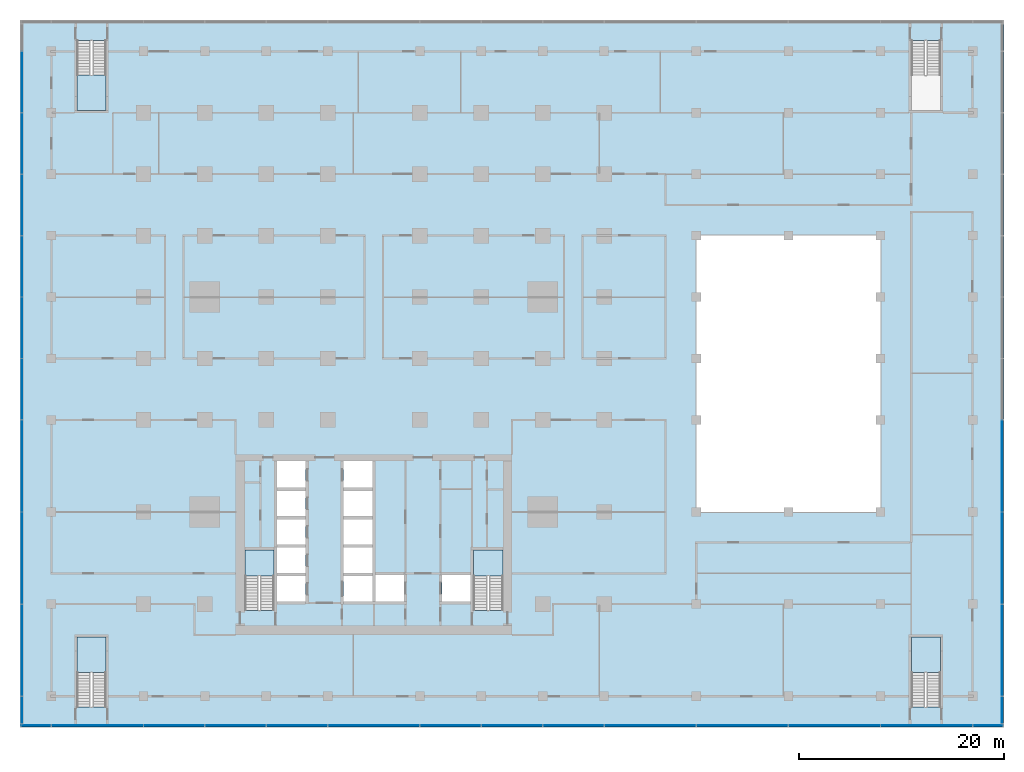
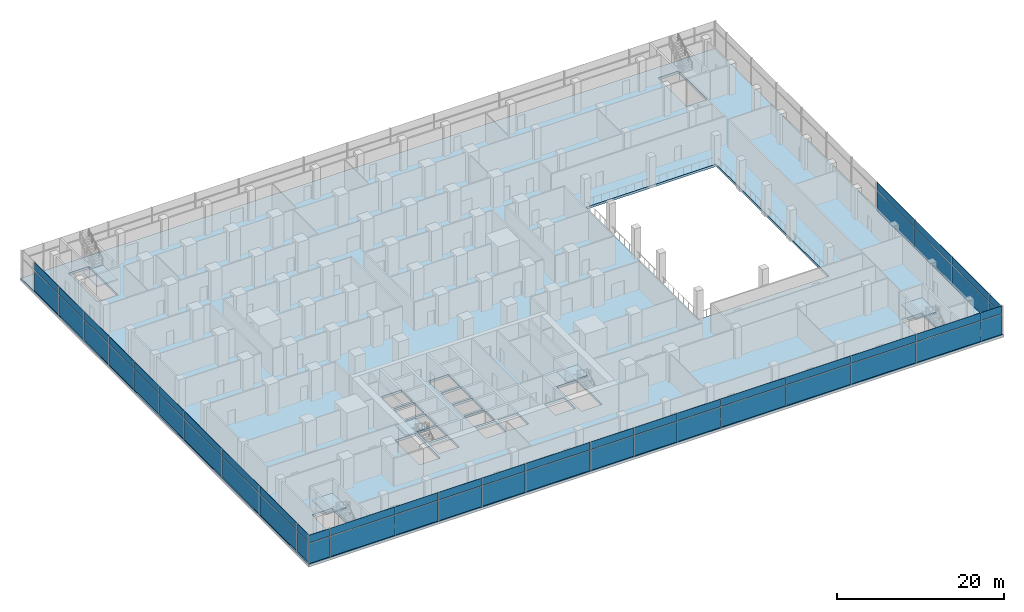
# One storey, part 10 of 22: 56 plates, 6 slabs, 8 elements without a shape of their own.
"""IFC4 building model written with IfcOpenShell, lengths in metres."""

import ifcopenshell
import ifcopenshell.guid

model = None  # the IFC model being written
_history = None  # IfcOwnerHistory: only IFC2X3 demands one
_inside = {}  # id of a spatial element -> (the spatial element, [elements in it])
_under = {}  # id of a project, library or spatial element -> (it, [spatial elements below it])
_declared = {}  # id of a project -> (the project, [libraries it declares])
_typed = {}  # id of a type object -> (the type object, [elements of that type])
_made_of = {}  # id of a material, layer set ... -> (it, [elements and type objects made of it])


def new_model(schema):
    """Start an empty IFC model of exactly this schema.

    Asked for "IFC4X3", IfcOpenShell would pick the latest addendum, in which some entities
    have other attributes; the version numbers below select the first issue.
    IFC2X3 requires an IfcOwnerHistory on every rooted entity: one is made here for all.
    """
    global model, _history
    if schema == "IFC4X3":
        model = ifcopenshell.file(schema_version=(4, 3, 0, 0))
    else:
        model = ifcopenshell.file(schema=schema)
    _inside.clear()
    _under.clear()
    _declared.clear()
    _typed.clear()
    _made_of.clear()
    _history = None
    if model.schema == "IFC2X3":
        org = make("IfcOrganization", Name="unknown")
        user = make(
            "IfcPersonAndOrganization",
            ThePerson=make("IfcPerson", FamilyName="unknown"),
            TheOrganization=org,
        )
        app = make(
            "IfcApplication",
            ApplicationDeveloper=org,
            Version="unknown",
            ApplicationFullName="unknown",
            ApplicationIdentifier="unknown",
        )
        _history = make(
            "IfcOwnerHistory",
            OwningUser=user,
            OwningApplication=app,
            ChangeAction="ADDED",
            CreationDate=0,
        )
    return model


def make(cls, **values):
    """One entity of the class cls with the attributes given. An attribute that is None is left unset."""
    return model.create_entity(
        cls, **{name: value for name, value in values.items() if value is not None}
    )


def rooted(cls, **values):
    """An entity with a GlobalId (a new one), such as an element, a storey or a relation."""
    return make(cls, GlobalId=ifcopenshell.guid.new(), OwnerHistory=_history, **values)


def si_unit(unit_type, name, prefix=None):
    """IfcSIUnit, for example si_unit("LENGTHUNIT", "METRE", prefix="MILLI")."""
    return make("IfcSIUnit", UnitType=unit_type, Prefix=prefix, Name=name)


def assignment(units):
    """IfcUnitAssignment: the units of a project."""
    return None if units is None else make("IfcUnitAssignment", Units=units)


def point(xyz):
    """IfcCartesianPoint."""
    return None if xyz is None else make("IfcCartesianPoint", Coordinates=xyz)


def direction(xyz):
    """IfcDirection."""
    return None if xyz is None else make("IfcDirection", DirectionRatios=xyz)


def frame(location, z_axis=None, x_axis=None):
    """IfcAxis2Placement3D, a coordinate frame: its origin and axes. An axis left out is left unset."""
    return make(
        "IfcAxis2Placement3D",
        Location=point(location),
        Axis=direction(z_axis),
        RefDirection=direction(x_axis),
    )


def frame_2d(location, x_axis=None):
    """IfcAxis2Placement2D, a coordinate frame in the plane: its origin and x axis."""
    return make(
        "IfcAxis2Placement2D", Location=point(location), RefDirection=direction(x_axis)
    )


def origin():
    """The frame at (0, 0, 0) with its axes left unset."""
    return frame((0.0, 0.0, 0.0))


def origin_2d():
    """The frame at (0, 0) in the plane with its x axis left unset."""
    return frame_2d((0.0, 0.0))


def place(relative_to, where):
    """IfcLocalPlacement: puts the frame where relative to a parent placement (None: the world)."""
    return make(
        "IfcLocalPlacement", PlacementRelTo=relative_to, RelativePlacement=where
    )


def context(
    kind, dimensions, precision=None, world=None, true_north=None, identifier=None
):
    """IfcGeometricRepresentationContext, for example the 3D "Model" context."""
    return make(
        "IfcGeometricRepresentationContext",
        ContextIdentifier=identifier,
        ContextType=kind,
        CoordinateSpaceDimension=dimensions,
        Precision=precision,
        WorldCoordinateSystem=world,
        TrueNorth=true_north,
    )


def subcontext(parent, identifier, kind, view, scale=None):
    """IfcGeometricRepresentationSubContext, for example "Body" below "Model"."""
    return make(
        "IfcGeometricRepresentationSubContext",
        ContextIdentifier=identifier,
        ContextType=kind,
        ParentContext=parent,
        TargetScale=scale,
        TargetView=view,
    )


def project(units=None, contexts=None):
    """IfcProject with its units and contexts."""
    return rooted(
        "IfcProject",
        Name="project",
        RepresentationContexts=contexts,
        UnitsInContext=assignment(units),
    )


def spatial(cls, under=None, at=None, **own):
    """A site, building, storey or space (cls), placed at a placement, below another one or the project."""
    s = rooted(cls, ObjectPlacement=at, **own)
    if under is not None:
        _under.setdefault(under.id(), (under, []))[1].append(s)
    return s


def polyline(points):
    """IfcPolyline through the points."""
    return make("IfcPolyline", Points=[point(p) for p in points])


def profile(cls, at=None, kind="AREA", **sizes):
    """A parametric profile (cls). Its sizes go by their IFC names, for example OverallWidth=200.0."""
    return make(cls, ProfileType=kind, Position=at, **sizes)


def rectangle(**sizes):
    """IfcRectangleProfileDef."""
    return profile("IfcRectangleProfileDef", **sizes)


def outline(outer, holes=None, kind="AREA"):
    """IfcArbitraryClosedProfileDef: a profile drawn as a closed curve; with holes, ...WithVoids."""
    if holes is None:
        return make("IfcArbitraryClosedProfileDef", ProfileType=kind, OuterCurve=outer)
    return make(
        "IfcArbitraryProfileDefWithVoids",
        ProfileType=kind,
        OuterCurve=outer,
        InnerCurves=holes,
    )


def extrude(swept, where, along, depth):
    """IfcExtrudedAreaSolid: the profile swept, set in the frame where, extruded along a direction by depth."""
    return make(
        "IfcExtrudedAreaSolid",
        SweptArea=swept,
        Position=where,
        ExtrudedDirection=direction(along),
        Depth=depth,
    )


def shape(context_of_items, identifier, shape_type, items):
    """IfcShapeRepresentation: the items that make up one representation, for example the "Body"."""
    return make(
        "IfcShapeRepresentation",
        ContextOfItems=context_of_items,
        RepresentationIdentifier=identifier,
        RepresentationType=shape_type,
        Items=items,
    )


def material(Name=None, Category=None):
    """IfcMaterial."""
    return make("IfcMaterial", Name=Name, Category=Category)


def layer(
    of_material, thickness, ventilated=None, Name=None, Category=None, Priority=None
):
    """IfcMaterialLayer: one layer of a wall or slab, of a material (None: an air gap)."""
    return make(
        "IfcMaterialLayer",
        Material=of_material,
        LayerThickness=thickness,
        IsVentilated=ventilated,
        Name=Name,
        Category=Category,
        Priority=Priority,
    )


def layer_set(layers, Name=None):
    """IfcMaterialLayerSet."""
    return make("IfcMaterialLayerSet", MaterialLayers=layers, LayerSetName=Name)


def made_of(thing, what):
    """Note that an element or type object is made of a material, layer set ...; save() writes the relation."""
    if what is not None:
        _made_of.setdefault(what.id(), (what, []))[1].append(thing)
    return thing


def type_object(cls, material=None, **own):
    """A type object (cls), such as IfcWallType, which elements share."""
    return made_of(rooted(cls, **own), material)


def element(
    cls,
    number,
    at=None,
    inside=None,
    cuts=None,
    type_object=None,
    material=None,
    context=None,
    identifier="Body",
    shape_type=None,
    held_by="IfcProductDefinitionShape",
    body=None,
    shapes=None,
    **own,
):
    """One element of the class cls, such as IfcWall. Its Tag is "e" and its number.

    at: its placement. inside: the storey or other place that contains it. cuts: it is an
    opening in that element (IfcRelVoidsElement). A single representation is given by context,
    identifier, shape_type and body (its items); several are given by shapes. held_by: the class
    of the entity that holds the representations. save() writes the other relations.
    """
    e = rooted(cls, Tag="e%d" % number, ObjectPlacement=at, **own)
    if body is not None:
        shapes = [shape(context, identifier, shape_type, body)]
    if shapes is not None:
        e.Representation = make(held_by, Representations=shapes)
    if inside is not None:
        _inside.setdefault(inside.id(), (inside, []))[1].append(e)
    if cuts is not None:
        rooted(
            "IfcRelVoidsElement", RelatingBuildingElement=cuts, RelatedOpeningElement=e
        )
    if type_object is not None:
        _typed.setdefault(type_object.id(), (type_object, []))[1].append(e)
    return made_of(e, material)


def aggregate(whole, parts):
    """IfcRelAggregates: a whole, such as a stair, and the parts it consists of."""
    return rooted("IfcRelAggregates", RelatingObject=whole, RelatedObjects=parts)


def save(model, path):
    """Write the relations noted so far, then the file.

    IfcRelAggregates (storeys below a building ...), IfcRelContainedInSpatialStructure (elements
    in a storey), IfcRelDefinesByType, IfcRelAssociatesMaterial and IfcRelDeclares: one each for
    every whole, place, type object, material and project.
    """
    for whole, parts in _under.values():
        aggregate(whole, parts)
    for where, things in _inside.values():
        rooted(
            "IfcRelContainedInSpatialStructure",
            RelatedElements=things,
            RelatingStructure=where,
        )
    for kind, things in _typed.values():
        rooted("IfcRelDefinesByType", RelatedObjects=things, RelatingType=kind)
    for what, things in _made_of.values():
        rooted("IfcRelAssociatesMaterial", RelatedObjects=things, RelatingMaterial=what)
    for by, libraries in _declared.values():
        rooted("IfcRelDeclares", RelatingContext=by, RelatedDefinitions=libraries)
    model.write(path)


model = new_model("IFC4")

# Units and contexts
model_context = context("Model", 3, precision=1e-05, world=origin(), true_north=direction((0.0, 1.0)))
body_context = subcontext(model_context, "Body", "Model", "MODEL_VIEW")
ifc_project = project(units=[si_unit("LENGTHUNIT", "METRE"), si_unit("AREAUNIT", "SQUARE_METRE"), si_unit("VOLUMEUNIT", "CUBIC_METRE"), si_unit("PLANEANGLEUNIT", "RADIAN"), si_unit("MASSUNIT", "GRAM", prefix="KILO")], contexts=[model_context])

# Site, building, storey
site_placement = place(None, origin())
site = spatial("IfcSite", under=ifc_project, at=site_placement, CompositionType="ELEMENT")
building_placement = place(site_placement, origin())
building = spatial("IfcBuilding", under=site, at=building_placement, Name="Finial Court Residences", CompositionType="ELEMENT")
storey_placement = place(building_placement, frame((0.0, 0.0, 23.5)))
storey = spatial("IfcBuildingStorey", under=building, at=storey_placement, Name="L04", CompositionType="ELEMENT", Elevation=23.5)

# Curtain wall, plates
ifc_material_1 = material(Name="Bronze anodised aluminium", Category="aluminium")
curtain_wall_type = type_object("IfcCurtainWallType", Name="Podium curtain wall", PredefinedType="NOTDEFINED", material=ifc_material_1)
curtain_wall_1_placement = place(storey_placement, origin())
curtain_wall_1 = element("IfcCurtainWall", 1, at=curtain_wall_1_placement, inside=storey, type_object=curtain_wall_type, Name="E-L04-CW-E2", PredefinedType="NOTDEFINED")
ifc_material_2 = material(Name="Clear low-e glass", Category="glass")
ifc_layer_1 = layer(ifc_material_2, 0.035888671875)
ifc_layer_set_1 = layer_set([ifc_layer_1], Name="CW5 vision glass 36")
plate_type = type_object("IfcPlateType", Name="CW5 vision glass 36", PredefinedType="CURTAIN_PANEL", material=ifc_layer_set_1)
plate_1_placement = place(storey_placement, frame((61.35009765625, -32.8486328125, 0.0), z_axis=(0.0, 0.0, 1.0), x_axis=(0.0, 1.0, 0.0)))
plate_1 = element("IfcPlate", 2, at=plate_1_placement, type_object=plate_type, Name="CW5 glass 1.1", PredefinedType="CURTAIN_PANEL", context=body_context, shape_type="SweptSolid", body=[
    extrude(rectangle(XDim=2.617431640625, YDim=0.035888671875, at=origin_2d()), origin(), (0.0, 0.0, 1.0), 2.9599609375),
])
plate_2_placement = place(storey_placement, frame((61.35009765625, -32.8486328125, 3.0400390625), z_axis=(0.0, 0.0, 1.0), x_axis=(0.0, 1.0, 0.0)))
plate_2 = element("IfcPlate", 3, at=plate_2_placement, type_object=plate_type, Name="CW5 glass 1.2", PredefinedType="CURTAIN_PANEL", context=body_context, shape_type="SweptSolid", body=[
    extrude(rectangle(XDim=2.617431640625, YDim=0.035888671875, at=origin_2d()), origin(), (0.0, 0.0, 1.0), 1.110107421875),
])
plate_3_placement = place(storey_placement, frame((61.35009765625, -27.0, 0.0), z_axis=(0.0, 0.0, 1.0), x_axis=(0.0, 1.0, 0.0)))
plate_3 = element("IfcPlate", 4, at=plate_3_placement, type_object=plate_type, Name="CW5 glass 2.1", PredefinedType="CURTAIN_PANEL", context=body_context, shape_type="SweptSolid", body=[
    extrude(rectangle(XDim=8.919921875, YDim=0.035888671875, at=origin_2d()), origin(), (0.0, 0.0, 1.0), 2.9599609375),
])
plate_4_placement = place(storey_placement, frame((61.35009765625, -27.0, 3.0400390625), z_axis=(0.0, 0.0, 1.0), x_axis=(0.0, 1.0, 0.0)))
plate_4 = element("IfcPlate", 5, at=plate_4_placement, type_object=plate_type, Name="CW5 glass 2.2", PredefinedType="CURTAIN_PANEL", context=body_context, shape_type="SweptSolid", body=[
    extrude(rectangle(XDim=8.919921875, YDim=0.035888671875, at=origin_2d()), origin(), (0.0, 0.0, 1.0), 1.110107421875),
])
plate_5_placement = place(storey_placement, frame((61.35009765625, -18.0, 0.0), z_axis=(0.0, 0.0, 1.0), x_axis=(0.0, 1.0, 0.0)))
plate_5 = element("IfcPlate", 6, at=plate_5_placement, type_object=plate_type, Name="CW5 glass 3.1", PredefinedType="CURTAIN_PANEL", context=body_context, shape_type="SweptSolid", body=[
    extrude(rectangle(XDim=8.919921875, YDim=0.035888671875, at=origin_2d()), origin(), (0.0, 0.0, 1.0), 2.9599609375),
])
plate_6_placement = place(storey_placement, frame((61.35009765625, -18.0, 3.0400390625), z_axis=(0.0, 0.0, 1.0), x_axis=(0.0, 1.0, 0.0)))
plate_6 = element("IfcPlate", 7, at=plate_6_placement, type_object=plate_type, Name="CW5 glass 3.2", PredefinedType="CURTAIN_PANEL", context=body_context, shape_type="SweptSolid", body=[
    extrude(rectangle(XDim=8.919921875, YDim=0.035888671875, at=origin_2d()), origin(), (0.0, 0.0, 1.0), 1.110107421875),
])
plate_7_placement = place(storey_placement, frame((61.35009765625, -9.0, 0.0), z_axis=(0.0, 0.0, 1.0), x_axis=(0.0, 1.0, 0.0)))
plate_7 = element("IfcPlate", 8, at=plate_7_placement, type_object=plate_type, Name="CW5 glass 4.1", PredefinedType="CURTAIN_PANEL", context=body_context, shape_type="SweptSolid", body=[
    extrude(rectangle(XDim=8.919921875, YDim=0.035888671875, at=origin_2d()), origin(), (0.0, 0.0, 1.0), 2.9599609375),
])
plate_8_placement = place(storey_placement, frame((61.35009765625, -9.0, 3.0400390625), z_axis=(0.0, 0.0, 1.0), x_axis=(0.0, 1.0, 0.0)))
plate_8 = element("IfcPlate", 9, at=plate_8_placement, type_object=plate_type, Name="CW5 glass 4.2", PredefinedType="CURTAIN_PANEL", context=body_context, shape_type="SweptSolid", body=[
    extrude(rectangle(XDim=8.919921875, YDim=0.035888671875, at=origin_2d()), origin(), (0.0, 0.0, 1.0), 1.110107421875),
])
aggregate(curtain_wall_1, [plate_1, plate_2, plate_3, plate_4, plate_5, plate_6, plate_7, plate_8])

curtain_wall_2_placement = place(storey_placement, origin())
curtain_wall_2 = element("IfcCurtainWall", 10, at=curtain_wall_2_placement, inside=storey, type_object=curtain_wall_type, Name="E-L04-CW-S3", PredefinedType="NOTDEFINED")
plate_9_placement = place(storey_placement, frame((-32.97998046875, -34.35009765625, 0.0), z_axis=(0.0, 0.0, 1.0), x_axis=(1.0, 0.0, 0.0)))
plate_9 = element("IfcPlate", 11, at=plate_9_placement, type_object=plate_type, Name="CW5 glass 1.1", PredefinedType="CURTAIN_PANEL", context=body_context, shape_type="SweptSolid", body=[
    extrude(rectangle(XDim=2.8798828125, YDim=0.035888671875, at=origin_2d()), origin(), (0.0, 0.0, 1.0), 2.9599609375),
])
plate_10_placement = place(storey_placement, frame((-32.97998046875, -34.35009765625, 3.0400390625), z_axis=(0.0, 0.0, 1.0), x_axis=(1.0, 0.0, 0.0)))
plate_10 = element("IfcPlate", 12, at=plate_10_placement, type_object=plate_type, Name="CW5 glass 1.2", PredefinedType="CURTAIN_PANEL", context=body_context, shape_type="SweptSolid", body=[
    extrude(rectangle(XDim=2.8798828125, YDim=0.035888671875, at=origin_2d()), origin(), (0.0, 0.0, 1.0), 1.110107421875),
])
plate_11_placement = place(storey_placement, frame((-27.0, -34.35009765625, 0.0), z_axis=(0.0, 0.0, 1.0), x_axis=(1.0, 0.0, 0.0)))
plate_11 = element("IfcPlate", 13, at=plate_11_placement, type_object=plate_type, Name="CW5 glass 2.1", PredefinedType="CURTAIN_PANEL", context=body_context, shape_type="SweptSolid", body=[
    extrude(rectangle(XDim=8.919921875, YDim=0.035888671875, at=origin_2d()), origin(), (0.0, 0.0, 1.0), 2.9599609375),
])
plate_12_placement = place(storey_placement, frame((-27.0, -34.35009765625, 3.0400390625), z_axis=(0.0, 0.0, 1.0), x_axis=(1.0, 0.0, 0.0)))
plate_12 = element("IfcPlate", 14, at=plate_12_placement, type_object=plate_type, Name="CW5 glass 2.2", PredefinedType="CURTAIN_PANEL", context=body_context, shape_type="SweptSolid", body=[
    extrude(rectangle(XDim=8.919921875, YDim=0.035888671875, at=origin_2d()), origin(), (0.0, 0.0, 1.0), 1.110107421875),
])
plate_13_placement = place(storey_placement, frame((-19.5, -34.35009765625, 0.0), z_axis=(0.0, 0.0, 1.0), x_axis=(1.0, 0.0, 0.0)))
plate_13 = element("IfcPlate", 15, at=plate_13_placement, type_object=plate_type, Name="CW5 glass 3.1", PredefinedType="CURTAIN_PANEL", context=body_context, shape_type="SweptSolid", body=[
    extrude(rectangle(XDim=5.919921875, YDim=0.035888671875, at=origin_2d()), origin(), (0.0, 0.0, 1.0), 2.9599609375),
])
plate_14_placement = place(storey_placement, frame((-19.5, -34.35009765625, 3.0400390625), z_axis=(0.0, 0.0, 1.0), x_axis=(1.0, 0.0, 0.0)))
plate_14 = element("IfcPlate", 16, at=plate_14_placement, type_object=plate_type, Name="CW5 glass 3.2", PredefinedType="CURTAIN_PANEL", context=body_context, shape_type="SweptSolid", body=[
    extrude(rectangle(XDim=5.919921875, YDim=0.035888671875, at=origin_2d()), origin(), (0.0, 0.0, 1.0), 1.110107421875),
])
plate_15_placement = place(storey_placement, frame((-13.5, -34.35009765625, 0.0), z_axis=(0.0, 0.0, 1.0), x_axis=(1.0, 0.0, 0.0)))
plate_15 = element("IfcPlate", 17, at=plate_15_placement, type_object=plate_type, Name="CW5 glass 4.1", PredefinedType="CURTAIN_PANEL", context=body_context, shape_type="SweptSolid", body=[
    extrude(rectangle(XDim=5.919921875, YDim=0.035888671875, at=origin_2d()), origin(), (0.0, 0.0, 1.0), 2.9599609375),
])
plate_16_placement = place(storey_placement, frame((-13.5, -34.35009765625, 3.0400390625), z_axis=(0.0, 0.0, 1.0), x_axis=(1.0, 0.0, 0.0)))
plate_16 = element("IfcPlate", 18, at=plate_16_placement, type_object=plate_type, Name="CW5 glass 4.2", PredefinedType="CURTAIN_PANEL", context=body_context, shape_type="SweptSolid", body=[
    extrude(rectangle(XDim=5.919921875, YDim=0.035888671875, at=origin_2d()), origin(), (0.0, 0.0, 1.0), 1.110107421875),
])
plate_17_placement = place(storey_placement, frame((-7.5, -34.35009765625, 0.0), z_axis=(0.0, 0.0, 1.0), x_axis=(1.0, 0.0, 0.0)))
plate_17 = element("IfcPlate", 19, at=plate_17_placement, type_object=plate_type, Name="CW5 glass 5.1", PredefinedType="CURTAIN_PANEL", context=body_context, shape_type="SweptSolid", body=[
    extrude(rectangle(XDim=5.919921875, YDim=0.035888671875, at=origin_2d()), origin(), (0.0, 0.0, 1.0), 2.9599609375),
])
plate_18_placement = place(storey_placement, frame((-7.5, -34.35009765625, 3.0400390625), z_axis=(0.0, 0.0, 1.0), x_axis=(1.0, 0.0, 0.0)))
plate_18 = element("IfcPlate", 20, at=plate_18_placement, type_object=plate_type, Name="CW5 glass 5.2", PredefinedType="CURTAIN_PANEL", context=body_context, shape_type="SweptSolid", body=[
    extrude(rectangle(XDim=5.919921875, YDim=0.035888671875, at=origin_2d()), origin(), (0.0, 0.0, 1.0), 1.110107421875),
])
plate_19_placement = place(storey_placement, frame((0.0, -34.35009765625, 0.0), z_axis=(0.0, 0.0, 1.0), x_axis=(1.0, 0.0, 0.0)))
plate_19 = element("IfcPlate", 21, at=plate_19_placement, type_object=plate_type, Name="CW5 glass 6.1", PredefinedType="CURTAIN_PANEL", context=body_context, shape_type="SweptSolid", body=[
    extrude(rectangle(XDim=8.919921875, YDim=0.035888671875, at=origin_2d()), origin(), (0.0, 0.0, 1.0), 2.9599609375),
])
plate_20_placement = place(storey_placement, frame((0.0, -34.35009765625, 3.0400390625), z_axis=(0.0, 0.0, 1.0), x_axis=(1.0, 0.0, 0.0)))
plate_20 = element("IfcPlate", 22, at=plate_20_placement, type_object=plate_type, Name="CW5 glass 6.2", PredefinedType="CURTAIN_PANEL", context=body_context, shape_type="SweptSolid", body=[
    extrude(rectangle(XDim=8.919921875, YDim=0.035888671875, at=origin_2d()), origin(), (0.0, 0.0, 1.0), 1.110107421875),
])
plate_21_placement = place(storey_placement, frame((7.5, -34.35009765625, 0.0), z_axis=(0.0, 0.0, 1.0), x_axis=(1.0, 0.0, 0.0)))
plate_21 = element("IfcPlate", 23, at=plate_21_placement, type_object=plate_type, Name="CW5 glass 7.1", PredefinedType="CURTAIN_PANEL", context=body_context, shape_type="SweptSolid", body=[
    extrude(rectangle(XDim=5.919921875, YDim=0.035888671875, at=origin_2d()), origin(), (0.0, 0.0, 1.0), 2.9599609375),
])
plate_22_placement = place(storey_placement, frame((7.5, -34.35009765625, 3.0400390625), z_axis=(0.0, 0.0, 1.0), x_axis=(1.0, 0.0, 0.0)))
plate_22 = element("IfcPlate", 24, at=plate_22_placement, type_object=plate_type, Name="CW5 glass 7.2", PredefinedType="CURTAIN_PANEL", context=body_context, shape_type="SweptSolid", body=[
    extrude(rectangle(XDim=5.919921875, YDim=0.035888671875, at=origin_2d()), origin(), (0.0, 0.0, 1.0), 1.110107421875),
])
plate_23_placement = place(storey_placement, frame((13.5, -34.35009765625, 0.0), z_axis=(0.0, 0.0, 1.0), x_axis=(1.0, 0.0, 0.0)))
plate_23 = element("IfcPlate", 25, at=plate_23_placement, type_object=plate_type, Name="CW5 glass 8.1", PredefinedType="CURTAIN_PANEL", context=body_context, shape_type="SweptSolid", body=[
    extrude(rectangle(XDim=5.919921875, YDim=0.035888671875, at=origin_2d()), origin(), (0.0, 0.0, 1.0), 2.9599609375),
])
plate_24_placement = place(storey_placement, frame((13.5, -34.35009765625, 3.0400390625), z_axis=(0.0, 0.0, 1.0), x_axis=(1.0, 0.0, 0.0)))
plate_24 = element("IfcPlate", 26, at=plate_24_placement, type_object=plate_type, Name="CW5 glass 8.2", PredefinedType="CURTAIN_PANEL", context=body_context, shape_type="SweptSolid", body=[
    extrude(rectangle(XDim=5.919921875, YDim=0.035888671875, at=origin_2d()), origin(), (0.0, 0.0, 1.0), 1.110107421875),
])
plate_25_placement = place(storey_placement, frame((19.5, -34.35009765625, 0.0), z_axis=(0.0, 0.0, 1.0), x_axis=(1.0, 0.0, 0.0)))
plate_25 = element("IfcPlate", 27, at=plate_25_placement, type_object=plate_type, Name="CW5 glass 9.1", PredefinedType="CURTAIN_PANEL", context=body_context, shape_type="SweptSolid", body=[
    extrude(rectangle(XDim=5.919921875, YDim=0.035888671875, at=origin_2d()), origin(), (0.0, 0.0, 1.0), 2.9599609375),
])
plate_26_placement = place(storey_placement, frame((19.5, -34.35009765625, 3.0400390625), z_axis=(0.0, 0.0, 1.0), x_axis=(1.0, 0.0, 0.0)))
plate_26 = element("IfcPlate", 28, at=plate_26_placement, type_object=plate_type, Name="CW5 glass 9.2", PredefinedType="CURTAIN_PANEL", context=body_context, shape_type="SweptSolid", body=[
    extrude(rectangle(XDim=5.919921875, YDim=0.035888671875, at=origin_2d()), origin(), (0.0, 0.0, 1.0), 1.110107421875),
])
plate_27_placement = place(storey_placement, frame((27.0, -34.35009765625, 0.0), z_axis=(0.0, 0.0, 1.0), x_axis=(1.0, 0.0, 0.0)))
plate_27 = element("IfcPlate", 29, at=plate_27_placement, type_object=plate_type, Name="CW5 glass 10.1", PredefinedType="CURTAIN_PANEL", context=body_context, shape_type="SweptSolid", body=[
    extrude(rectangle(XDim=8.919921875, YDim=0.035888671875, at=origin_2d()), origin(), (0.0, 0.0, 1.0), 2.9599609375),
])
plate_28_placement = place(storey_placement, frame((27.0, -34.35009765625, 3.0400390625), z_axis=(0.0, 0.0, 1.0), x_axis=(1.0, 0.0, 0.0)))
plate_28 = element("IfcPlate", 30, at=plate_28_placement, type_object=plate_type, Name="CW5 glass 10.2", PredefinedType="CURTAIN_PANEL", context=body_context, shape_type="SweptSolid", body=[
    extrude(rectangle(XDim=8.919921875, YDim=0.035888671875, at=origin_2d()), origin(), (0.0, 0.0, 1.0), 1.110107421875),
])
plate_29_placement = place(storey_placement, frame((36.0, -34.35009765625, 0.0), z_axis=(0.0, 0.0, 1.0), x_axis=(1.0, 0.0, 0.0)))
plate_29 = element("IfcPlate", 31, at=plate_29_placement, type_object=plate_type, Name="CW5 glass 11.1", PredefinedType="CURTAIN_PANEL", context=body_context, shape_type="SweptSolid", body=[
    extrude(rectangle(XDim=8.919921875, YDim=0.035888671875, at=origin_2d()), origin(), (0.0, 0.0, 1.0), 2.9599609375),
])
plate_30_placement = place(storey_placement, frame((36.0, -34.35009765625, 3.0400390625), z_axis=(0.0, 0.0, 1.0), x_axis=(1.0, 0.0, 0.0)))
plate_30 = element("IfcPlate", 32, at=plate_30_placement, type_object=plate_type, Name="CW5 glass 11.2", PredefinedType="CURTAIN_PANEL", context=body_context, shape_type="SweptSolid", body=[
    extrude(rectangle(XDim=8.919921875, YDim=0.035888671875, at=origin_2d()), origin(), (0.0, 0.0, 1.0), 1.110107421875),
])
plate_31_placement = place(storey_placement, frame((45.0, -34.35009765625, 0.0), z_axis=(0.0, 0.0, 1.0), x_axis=(1.0, 0.0, 0.0)))
plate_31 = element("IfcPlate", 33, at=plate_31_placement, type_object=plate_type, Name="CW5 glass 12.1", PredefinedType="CURTAIN_PANEL", context=body_context, shape_type="SweptSolid", body=[
    extrude(rectangle(XDim=8.919921875, YDim=0.035888671875, at=origin_2d()), origin(), (0.0, 0.0, 1.0), 2.9599609375),
])
plate_32_placement = place(storey_placement, frame((45.0, -34.35009765625, 3.0400390625), z_axis=(0.0, 0.0, 1.0), x_axis=(1.0, 0.0, 0.0)))
plate_32 = element("IfcPlate", 34, at=plate_32_placement, type_object=plate_type, Name="CW5 glass 12.2", PredefinedType="CURTAIN_PANEL", context=body_context, shape_type="SweptSolid", body=[
    extrude(rectangle(XDim=8.919921875, YDim=0.035888671875, at=origin_2d()), origin(), (0.0, 0.0, 1.0), 1.110107421875),
])
plate_33_placement = place(storey_placement, frame((54.0, -34.35009765625, 0.0), z_axis=(0.0, 0.0, 1.0), x_axis=(1.0, 0.0, 0.0)))
plate_33 = element("IfcPlate", 35, at=plate_33_placement, type_object=plate_type, Name="CW5 glass 13.1", PredefinedType="CURTAIN_PANEL", context=body_context, shape_type="SweptSolid", body=[
    extrude(rectangle(XDim=8.919921875, YDim=0.035888671875, at=origin_2d()), origin(), (0.0, 0.0, 1.0), 2.9599609375),
])
plate_34_placement = place(storey_placement, frame((54.0, -34.35009765625, 3.0400390625), z_axis=(0.0, 0.0, 1.0), x_axis=(1.0, 0.0, 0.0)))
plate_34 = element("IfcPlate", 36, at=plate_34_placement, type_object=plate_type, Name="CW5 glass 13.2", PredefinedType="CURTAIN_PANEL", context=body_context, shape_type="SweptSolid", body=[
    extrude(rectangle(XDim=8.919921875, YDim=0.035888671875, at=origin_2d()), origin(), (0.0, 0.0, 1.0), 1.110107421875),
])
plate_35_placement = place(storey_placement, frame((59.97998046875, -34.35009765625, 0.0), z_axis=(0.0, 0.0, 1.0), x_axis=(1.0, 0.0, 0.0)))
plate_35 = element("IfcPlate", 37, at=plate_35_placement, type_object=plate_type, Name="CW5 glass 14.1", PredefinedType="CURTAIN_PANEL", context=body_context, shape_type="SweptSolid", body=[
    extrude(rectangle(XDim=2.8798828125, YDim=0.035888671875, at=origin_2d()), origin(), (0.0, 0.0, 1.0), 2.9599609375),
])
plate_36_placement = place(storey_placement, frame((59.97998046875, -34.35009765625, 3.0400390625), z_axis=(0.0, 0.0, 1.0), x_axis=(1.0, 0.0, 0.0)))
plate_36 = element("IfcPlate", 38, at=plate_36_placement, type_object=plate_type, Name="CW5 glass 14.2", PredefinedType="CURTAIN_PANEL", context=body_context, shape_type="SweptSolid", body=[
    extrude(rectangle(XDim=2.8798828125, YDim=0.035888671875, at=origin_2d()), origin(), (0.0, 0.0, 1.0), 1.110107421875),
])
aggregate(curtain_wall_2, [plate_9, plate_10, plate_11, plate_12, plate_13, plate_14, plate_15, plate_16, plate_17, plate_18, plate_19, plate_20, plate_21, plate_22, plate_23, plate_24, plate_25, plate_26, plate_27, plate_28, plate_29, plate_30, plate_31, plate_32, plate_33, plate_34, plate_35, plate_36])

curtain_wall_3_placement = place(storey_placement, origin())
curtain_wall_3 = element("IfcCurtainWall", 39, at=curtain_wall_3_placement, inside=storey, type_object=curtain_wall_type, Name="E-L04-CW-W4", PredefinedType="NOTDEFINED")
plate_37_placement = place(storey_placement, frame((-34.35009765625, -32.8486328125, 0.0), z_axis=(0.0, 0.0, 1.0), x_axis=(0.0, 1.0, 0.0)))
plate_37 = element("IfcPlate", 40, at=plate_37_placement, type_object=plate_type, Name="CW5 glass 1.1", PredefinedType="CURTAIN_PANEL", context=body_context, shape_type="SweptSolid", body=[
    extrude(rectangle(XDim=2.617431640625, YDim=0.035888671875, at=origin_2d()), origin(), (0.0, 0.0, 1.0), 2.9599609375),
])
plate_38_placement = place(storey_placement, frame((-34.35009765625, -32.8486328125, 3.0400390625), z_axis=(0.0, 0.0, 1.0), x_axis=(0.0, 1.0, 0.0)))
plate_38 = element("IfcPlate", 41, at=plate_38_placement, type_object=plate_type, Name="CW5 glass 1.2", PredefinedType="CURTAIN_PANEL", context=body_context, shape_type="SweptSolid", body=[
    extrude(rectangle(XDim=2.617431640625, YDim=0.035888671875, at=origin_2d()), origin(), (0.0, 0.0, 1.0), 1.110107421875),
])
plate_39_placement = place(storey_placement, frame((-34.35009765625, -27.0, 0.0), z_axis=(0.0, 0.0, 1.0), x_axis=(0.0, 1.0, 0.0)))
plate_39 = element("IfcPlate", 42, at=plate_39_placement, type_object=plate_type, Name="CW5 glass 2.1", PredefinedType="CURTAIN_PANEL", context=body_context, shape_type="SweptSolid", body=[
    extrude(rectangle(XDim=8.919921875, YDim=0.035888671875, at=origin_2d()), origin(), (0.0, 0.0, 1.0), 2.9599609375),
])
plate_40_placement = place(storey_placement, frame((-34.35009765625, -27.0, 3.0400390625), z_axis=(0.0, 0.0, 1.0), x_axis=(0.0, 1.0, 0.0)))
plate_40 = element("IfcPlate", 43, at=plate_40_placement, type_object=plate_type, Name="CW5 glass 2.2", PredefinedType="CURTAIN_PANEL", context=body_context, shape_type="SweptSolid", body=[
    extrude(rectangle(XDim=8.919921875, YDim=0.035888671875, at=origin_2d()), origin(), (0.0, 0.0, 1.0), 1.110107421875),
])
plate_41_placement = place(storey_placement, frame((-34.35009765625, -18.0, 0.0), z_axis=(0.0, 0.0, 1.0), x_axis=(0.0, 1.0, 0.0)))
plate_41 = element("IfcPlate", 44, at=plate_41_placement, type_object=plate_type, Name="CW5 glass 3.1", PredefinedType="CURTAIN_PANEL", context=body_context, shape_type="SweptSolid", body=[
    extrude(rectangle(XDim=8.919921875, YDim=0.035888671875, at=origin_2d()), origin(), (0.0, 0.0, 1.0), 2.9599609375),
])
plate_42_placement = place(storey_placement, frame((-34.35009765625, -18.0, 3.0400390625), z_axis=(0.0, 0.0, 1.0), x_axis=(0.0, 1.0, 0.0)))
plate_42 = element("IfcPlate", 45, at=plate_42_placement, type_object=plate_type, Name="CW5 glass 3.2", PredefinedType="CURTAIN_PANEL", context=body_context, shape_type="SweptSolid", body=[
    extrude(rectangle(XDim=8.919921875, YDim=0.035888671875, at=origin_2d()), origin(), (0.0, 0.0, 1.0), 1.110107421875),
])
plate_43_placement = place(storey_placement, frame((-34.35009765625, -9.0, 0.0), z_axis=(0.0, 0.0, 1.0), x_axis=(0.0, 1.0, 0.0)))
plate_43 = element("IfcPlate", 46, at=plate_43_placement, type_object=plate_type, Name="CW5 glass 4.1", PredefinedType="CURTAIN_PANEL", context=body_context, shape_type="SweptSolid", body=[
    extrude(rectangle(XDim=8.919921875, YDim=0.035888671875, at=origin_2d()), origin(), (0.0, 0.0, 1.0), 2.9599609375),
])
plate_44_placement = place(storey_placement, frame((-34.35009765625, -9.0, 3.0400390625), z_axis=(0.0, 0.0, 1.0), x_axis=(0.0, 1.0, 0.0)))
plate_44 = element("IfcPlate", 47, at=plate_44_placement, type_object=plate_type, Name="CW5 glass 4.2", PredefinedType="CURTAIN_PANEL", context=body_context, shape_type="SweptSolid", body=[
    extrude(rectangle(XDim=8.919921875, YDim=0.035888671875, at=origin_2d()), origin(), (0.0, 0.0, 1.0), 1.110107421875),
])
plate_45_placement = place(storey_placement, frame((-34.35009765625, -1.5, 0.0), z_axis=(0.0, 0.0, 1.0), x_axis=(0.0, 1.0, 0.0)))
plate_45 = element("IfcPlate", 48, at=plate_45_placement, type_object=plate_type, Name="CW5 glass 5.1", PredefinedType="CURTAIN_PANEL", context=body_context, shape_type="SweptSolid", body=[
    extrude(rectangle(XDim=5.919921875, YDim=0.035888671875, at=origin_2d()), origin(), (0.0, 0.0, 1.0), 2.9599609375),
])
plate_46_placement = place(storey_placement, frame((-34.35009765625, -1.5, 3.0400390625), z_axis=(0.0, 0.0, 1.0), x_axis=(0.0, 1.0, 0.0)))
plate_46 = element("IfcPlate", 49, at=plate_46_placement, type_object=plate_type, Name="CW5 glass 5.2", PredefinedType="CURTAIN_PANEL", context=body_context, shape_type="SweptSolid", body=[
    extrude(rectangle(XDim=5.919921875, YDim=0.035888671875, at=origin_2d()), origin(), (0.0, 0.0, 1.0), 1.110107421875),
])
plate_47_placement = place(storey_placement, frame((-34.35009765625, 4.5, 0.0), z_axis=(0.0, 0.0, 1.0), x_axis=(0.0, 1.0, 0.0)))
plate_47 = element("IfcPlate", 50, at=plate_47_placement, type_object=plate_type, Name="CW5 glass 6.1", PredefinedType="CURTAIN_PANEL", context=body_context, shape_type="SweptSolid", body=[
    extrude(rectangle(XDim=5.919921875, YDim=0.035888671875, at=origin_2d()), origin(), (0.0, 0.0, 1.0), 2.9599609375),
])
plate_48_placement = place(storey_placement, frame((-34.35009765625, 4.5, 3.0400390625), z_axis=(0.0, 0.0, 1.0), x_axis=(0.0, 1.0, 0.0)))
plate_48 = element("IfcPlate", 51, at=plate_48_placement, type_object=plate_type, Name="CW5 glass 6.2", PredefinedType="CURTAIN_PANEL", context=body_context, shape_type="SweptSolid", body=[
    extrude(rectangle(XDim=5.919921875, YDim=0.035888671875, at=origin_2d()), origin(), (0.0, 0.0, 1.0), 1.110107421875),
])
plate_49_placement = place(storey_placement, frame((-34.35009765625, 10.5, 0.0), z_axis=(0.0, 0.0, 1.0), x_axis=(0.0, 1.0, 0.0)))
plate_49 = element("IfcPlate", 52, at=plate_49_placement, type_object=plate_type, Name="CW5 glass 7.1", PredefinedType="CURTAIN_PANEL", context=body_context, shape_type="SweptSolid", body=[
    extrude(rectangle(XDim=5.919921875, YDim=0.035888671875, at=origin_2d()), origin(), (0.0, 0.0, 1.0), 2.9599609375),
])
plate_50_placement = place(storey_placement, frame((-34.35009765625, 10.5, 3.0400390625), z_axis=(0.0, 0.0, 1.0), x_axis=(0.0, 1.0, 0.0)))
plate_50 = element("IfcPlate", 53, at=plate_50_placement, type_object=plate_type, Name="CW5 glass 7.2", PredefinedType="CURTAIN_PANEL", context=body_context, shape_type="SweptSolid", body=[
    extrude(rectangle(XDim=5.919921875, YDim=0.035888671875, at=origin_2d()), origin(), (0.0, 0.0, 1.0), 1.110107421875),
])
plate_51_placement = place(storey_placement, frame((-34.35009765625, 16.5, 0.0), z_axis=(0.0, 0.0, 1.0), x_axis=(0.0, 1.0, 0.0)))
plate_51 = element("IfcPlate", 54, at=plate_51_placement, type_object=plate_type, Name="CW5 glass 8.1", PredefinedType="CURTAIN_PANEL", context=body_context, shape_type="SweptSolid", body=[
    extrude(rectangle(XDim=5.919921875, YDim=0.035888671875, at=origin_2d()), origin(), (0.0, 0.0, 1.0), 2.9599609375),
])
plate_52_placement = place(storey_placement, frame((-34.35009765625, 16.5, 3.0400390625), z_axis=(0.0, 0.0, 1.0), x_axis=(0.0, 1.0, 0.0)))
plate_52 = element("IfcPlate", 55, at=plate_52_placement, type_object=plate_type, Name="CW5 glass 8.2", PredefinedType="CURTAIN_PANEL", context=body_context, shape_type="SweptSolid", body=[
    extrude(rectangle(XDim=5.919921875, YDim=0.035888671875, at=origin_2d()), origin(), (0.0, 0.0, 1.0), 1.110107421875),
])
plate_53_placement = place(storey_placement, frame((-34.35009765625, 22.5, 0.0), z_axis=(0.0, 0.0, 1.0), x_axis=(0.0, 1.0, 0.0)))
plate_53 = element("IfcPlate", 56, at=plate_53_placement, type_object=plate_type, Name="CW5 glass 9.1", PredefinedType="CURTAIN_PANEL", context=body_context, shape_type="SweptSolid", body=[
    extrude(rectangle(XDim=5.919921875, YDim=0.035888671875, at=origin_2d()), origin(), (0.0, 0.0, 1.0), 2.9599609375),
])
plate_54_placement = place(storey_placement, frame((-34.35009765625, 22.5, 3.0400390625), z_axis=(0.0, 0.0, 1.0), x_axis=(0.0, 1.0, 0.0)))
plate_54 = element("IfcPlate", 57, at=plate_54_placement, type_object=plate_type, Name="CW5 glass 9.2", PredefinedType="CURTAIN_PANEL", context=body_context, shape_type="SweptSolid", body=[
    extrude(rectangle(XDim=5.919921875, YDim=0.035888671875, at=origin_2d()), origin(), (0.0, 0.0, 1.0), 1.110107421875),
])
plate_55_placement = place(storey_placement, frame((-34.35009765625, 28.5, 0.0), z_axis=(0.0, 0.0, 1.0), x_axis=(0.0, 1.0, 0.0)))
plate_55 = element("IfcPlate", 58, at=plate_55_placement, type_object=plate_type, Name="CW5 glass 10.1", PredefinedType="CURTAIN_PANEL", context=body_context, shape_type="SweptSolid", body=[
    extrude(rectangle(XDim=5.919921875, YDim=0.035888671875, at=origin_2d()), origin(), (0.0, 0.0, 1.0), 2.9599609375),
])
plate_56_placement = place(storey_placement, frame((-34.35009765625, 28.5, 3.0400390625), z_axis=(0.0, 0.0, 1.0), x_axis=(0.0, 1.0, 0.0)))
plate_56 = element("IfcPlate", 59, at=plate_56_placement, type_object=plate_type, Name="CW5 glass 10.2", PredefinedType="CURTAIN_PANEL", context=body_context, shape_type="SweptSolid", body=[
    extrude(rectangle(XDim=5.919921875, YDim=0.035888671875, at=origin_2d()), origin(), (0.0, 0.0, 1.0), 1.110107421875),
])
aggregate(curtain_wall_3, [plate_37, plate_38, plate_39, plate_40, plate_41, plate_42, plate_43, plate_44, plate_45, plate_46, plate_47, plate_48, plate_49, plate_50, plate_51, plate_52, plate_53, plate_54, plate_55, plate_56])

# Stair, slab
ifc_material_3 = material(Name="Concrete C50/60", Category="concrete")
stair_type = type_object("IfcStairType", Name="Exit stair 26 risers of 173.1 mm", PredefinedType="HALF_TURN_STAIR", material=ifc_material_3)
stair_1_placement = place(storey_placement, origin())
stair_1 = element("IfcStair", 60, at=stair_1_placement, inside=storey, type_object=stair_type, Name="L04 Exit stair ST-1", PredefinedType="HALF_TURN_STAIR")
ifc_layer_2 = layer(ifc_material_3, 0.199951171875)
ifc_layer_set_2 = layer_set([ifc_layer_2], Name="Exit stair landing")
slab_type_1 = type_object("IfcSlabType", Name="Exit stair landing", PredefinedType="LANDING", material=ifc_layer_set_2)
slab_1_placement = place(storey_placement, frame((0.0, 0.0, 2.050048828125)))
slab_1 = element("IfcSlab", 61, at=slab_1_placement, type_object=slab_type_1, Name="ST-1 landing 1", PredefinedType="LANDING", context=body_context, shape_type="SweptSolid", body=[
    extrude(outline(polyline([(-9.75, -19.739990234375), (-9.75, -17.199951171875), (-12.60009765625, -17.199951171875), (-12.60009765625, -19.739990234375), (-9.75, -19.739990234375)])), origin(), (0.0, 0.0, 1.0), 0.199951171875),
])
aggregate(stair_1, [slab_1])

stair_2_placement = place(storey_placement, origin())
stair_2 = element("IfcStair", 62, at=stair_2_placement, inside=storey, type_object=stair_type, Name="L04 Exit stair ST-2", PredefinedType="HALF_TURN_STAIR")
slab_2_placement = place(storey_placement, frame((0.0, 0.0, 2.050048828125)))
slab_2 = element("IfcSlab", 63, at=slab_2_placement, type_object=slab_type_1, Name="ST-2 landing 1", PredefinedType="LANDING", context=body_context, shape_type="SweptSolid", body=[
    extrude(outline(polyline([(12.60009765625, -19.739990234375), (12.60009765625, -17.199951171875), (9.75, -17.199951171875), (9.75, -19.739990234375), (12.60009765625, -19.739990234375)])), origin(), (0.0, 0.0, 1.0), 0.199951171875),
])
aggregate(stair_2, [slab_2])

stair_3_placement = place(storey_placement, origin())
stair_3 = element("IfcStair", 64, at=stair_3_placement, inside=storey, type_object=stair_type, Name="L04 Exit Stair 3", PredefinedType="HALF_TURN_STAIR")
slab_3_placement = place(storey_placement, frame((0.0, 0.0, 2.050048828125)))
slab_3 = element("IfcSlab", 65, at=slab_3_placement, type_object=slab_type_1, Name="ST-3 landing 1", PredefinedType="LANDING", context=body_context, shape_type="SweptSolid", body=[
    extrude(outline(polyline([(55.35009765625, -29.18994140625), (55.35009765625, -25.719970703125), (52.5, -25.719970703125), (52.5, -29.18994140625), (55.35009765625, -29.18994140625)])), origin(), (0.0, 0.0, 1.0), 0.199951171875),
])
aggregate(stair_3, [slab_3])

stair_4_placement = place(storey_placement, origin())
stair_4 = element("IfcStair", 66, at=stair_4_placement, inside=storey, type_object=stair_type, Name="L04 Exit Stair 4", PredefinedType="HALF_TURN_STAIR")
slab_4_placement = place(storey_placement, frame((0.0, 0.0, 2.050048828125)))
slab_4 = element("IfcSlab", 67, at=slab_4_placement, type_object=slab_type_1, Name="ST-4 landing 1", PredefinedType="LANDING", context=body_context, shape_type="SweptSolid", body=[
    extrude(outline(polyline([(-26.14990234375, -29.18994140625), (-26.14990234375, -25.719970703125), (-29.0, -25.719970703125), (-29.0, -29.18994140625), (-26.14990234375, -29.18994140625)])), origin(), (0.0, 0.0, 1.0), 0.199951171875),
])
aggregate(stair_4, [slab_4])

stair_5_placement = place(storey_placement, origin())
stair_5 = element("IfcStair", 68, at=stair_5_placement, inside=storey, type_object=stair_type, Name="L04 Exit Stair 6", PredefinedType="HALF_TURN_STAIR")
slab_5_placement = place(storey_placement, frame((0.0, 0.0, 2.050048828125)))
slab_5 = element("IfcSlab", 69, at=slab_5_placement, type_object=slab_type_1, Name="ST-6 landing 1", PredefinedType="LANDING", context=body_context, shape_type="SweptSolid", body=[
    extrude(outline(polyline([(-29.0, 29.18994140625), (-29.0, 25.719970703125), (-26.14990234375, 25.719970703125), (-26.14990234375, 29.18994140625), (-29.0, 29.18994140625)])), origin(), (0.0, 0.0, 1.0), 0.199951171875),
])
aggregate(stair_5, [slab_5])

# Slab
ifc_material_4 = material(Name="Concrete C40/50", Category="concrete")
ifc_layer_3 = layer(ifc_material_4, 0.35009765625)
ifc_layer_set_3 = layer_set([ifc_layer_3], Name="Flat plate slab 350 Concrete C40/50")
slab_type_2 = type_object("IfcSlabType", Name="Flat plate slab 350 Concrete C40/50", PredefinedType="FLOOR", material=ifc_layer_set_3)
slab_6_placement = place(storey_placement, frame((0.0, 0.0, -0.35009765625)))
element("IfcSlab", 70, at=slab_6_placement, inside=storey, type_object=slab_type_2, Name="S:SLAB:L04", PredefinedType="FLOOR", context=body_context, shape_type="SweptSolid", body=[
    extrude(outline(polyline([(-34.5, 34.5), (61.5, 34.5), (61.5, -34.5), (-34.5, -34.5), (-34.5, 34.5)]), holes=[polyline([(31.5, 13.5), (31.5, -13.5), (49.5, -13.5), (49.5, 13.5), (31.5, 13.5)]), polyline([(-26.14990234375, -25.719970703125), (-29.0, -25.719970703125), (-29.0, -32.549072265625), (-26.14990234375, -32.549072265625), (-26.14990234375, -25.719970703125)]), polyline([(-6.64990234375, -22.25), (-6.64990234375, -19.77001953125), (-9.449951171875, -19.77001953125), (-9.449951171875, -22.25), (-6.64990234375, -22.25)]), polyline([(-9.75, -17.199951171875), (-12.60009765625, -17.199951171875), (-12.60009765625, -23.09912109375), (-9.75, -23.09912109375), (-9.75, -17.199951171875)]), polyline([(-6.64990234375, -19.469970703125), (-6.64990234375, -16.989990234375), (-9.449951171875, -16.989990234375), (-9.449951171875, -19.469970703125), (-6.64990234375, -19.469970703125)]), polyline([(-6.64990234375, -16.68994140625), (-6.64990234375, -14.2099609375), (-9.449951171875, -14.2099609375), (-9.449951171875, -16.68994140625), (-6.64990234375, -16.68994140625)]), polyline([(-0.14990234375, -16.68994140625), (-0.14990234375, -14.2099609375), (-2.949951171875, -14.2099609375), (-2.949951171875, -16.68994140625), (-0.14990234375, -16.68994140625)]), polyline([(-6.64990234375, -13.909912109375), (-6.64990234375, -11.429931640625), (-9.449951171875, -11.429931640625), (-9.449951171875, -13.909912109375), (-6.64990234375, -13.909912109375)]), polyline([(-9.449951171875, -11.1298828125), (-6.64990234375, -11.1298828125), (-6.64990234375, -8.5), (-9.449951171875, -8.5), (-9.449951171875, -11.1298828125)]), polyline([(-26.14990234375, 25.719970703125), (-26.14990234375, 32.549072265625), (-29.0, 32.549072265625), (-29.0, 25.719970703125), (-26.14990234375, 25.719970703125)]), polyline([(55.35009765625, -25.719970703125), (52.5, -25.719970703125), (52.5, -32.549072265625), (55.35009765625, -32.549072265625), (55.35009765625, -25.719970703125)]), polyline([(-0.14990234375, -22.25), (-0.14990234375, -19.77001953125), (-2.949951171875, -19.77001953125), (-2.949951171875, -22.25), (-0.14990234375, -22.25)]), polyline([(2.949951171875, -22.25), (2.949951171875, -19.64990234375), (0.14990234375, -19.64990234375), (0.14990234375, -22.25), (2.949951171875, -22.25)]), polyline([(9.449951171875, -22.25), (9.449951171875, -19.64990234375), (6.64990234375, -19.64990234375), (6.64990234375, -22.25), (9.449951171875, -22.25)]), polyline([(12.60009765625, -17.199951171875), (9.75, -17.199951171875), (9.75, -23.09912109375), (12.60009765625, -23.09912109375), (12.60009765625, -17.199951171875)]), polyline([(-0.14990234375, -19.469970703125), (-0.14990234375, -16.989990234375), (-2.949951171875, -16.989990234375), (-2.949951171875, -19.469970703125), (-0.14990234375, -19.469970703125)]), polyline([(-0.14990234375, -13.909912109375), (-0.14990234375, -11.429931640625), (-2.949951171875, -11.429931640625), (-2.949951171875, -13.909912109375), (-0.14990234375, -13.909912109375)]), polyline([(-2.949951171875, -11.1298828125), (-0.14990234375, -11.1298828125), (-0.14990234375, -8.5), (-2.949951171875, -8.5), (-2.949951171875, -11.1298828125)]), polyline([(55.35009765625, 25.719970703125), (55.35009765625, 32.549072265625), (52.5, 32.549072265625), (52.5, 25.719970703125), (55.35009765625, 25.719970703125)])]), origin(), (0.0, 0.0, 1.0), 0.35009765625),
])

save(model, "model.ifc")
